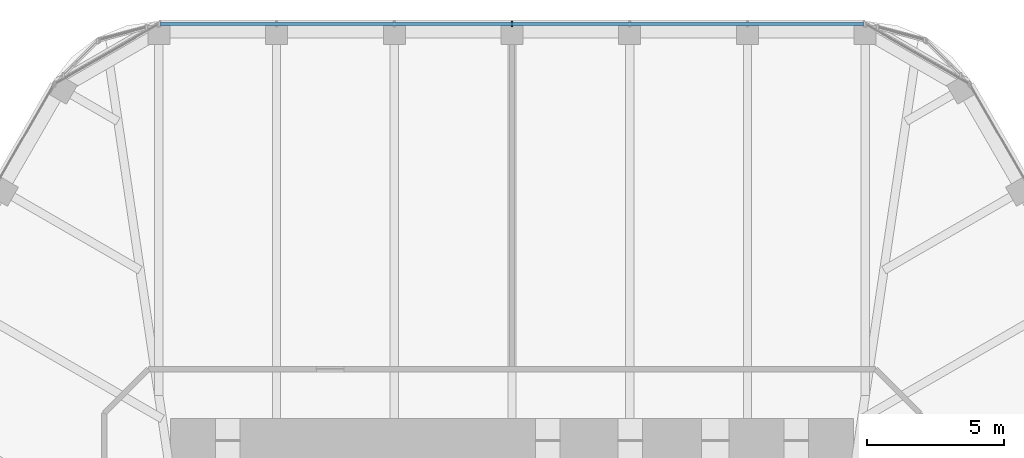
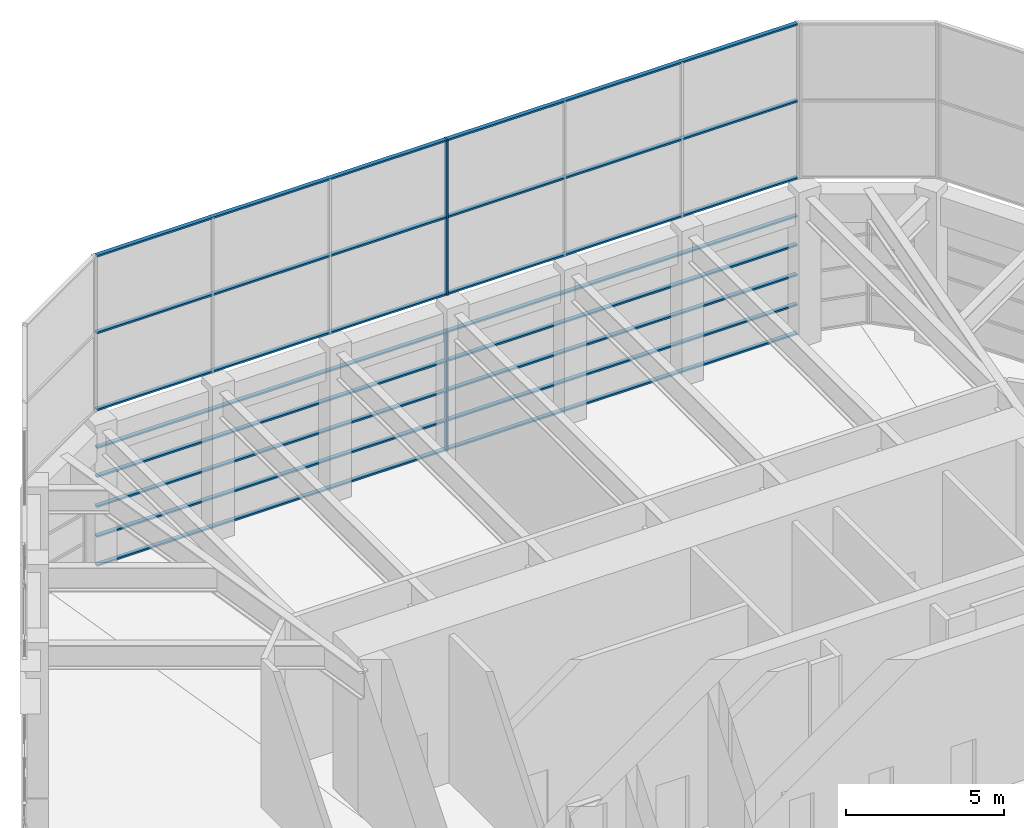
# One storey, part 8 of 17: 10 members, 2 elements without a shape of their own.
"""IFC4 building model written with IfcOpenShell, lengths in metres."""

from ifc_helpers import new_model, si_unit, direction, frame, origin, origin_2d, place, context, subcontext, project, spatial, rectangle, extrude, material, material_profile, profile_set, type_object, element, aggregate, save


model = new_model("IFC4")

# Units and contexts
model_context = context("Model", 3, precision=1e-05, world=origin(), true_north=direction((0.0, 1.0)))
body_context = subcontext(model_context, "Body", "Model", "MODEL_VIEW")
ifc_project = project(units=[si_unit("LENGTHUNIT", "METRE"), si_unit("AREAUNIT", "SQUARE_METRE"), si_unit("VOLUMEUNIT", "CUBIC_METRE"), si_unit("PLANEANGLEUNIT", "RADIAN"), si_unit("MASSUNIT", "GRAM", prefix="KILO")], contexts=[model_context])

# Site, building, storey
site_placement = place(None, origin())
site = spatial("IfcSite", under=ifc_project, at=site_placement, CompositionType="ELEMENT")
building_placement = place(site_placement, origin())
building = spatial("IfcBuilding", under=site, at=building_placement, Name="Tarfa Lantern Tower", CompositionType="ELEMENT")
storey_placement = place(building_placement, frame((0.0, 0.0, 402.300048828125)))
storey = spatial("IfcBuildingStorey", under=building, at=storey_placement, Name="L91", CompositionType="ELEMENT", Elevation=402.300048828125)

# Curtain wall, member
ifc_material_1 = material(Name="Aluminium framed curtain wall", Category="aluminium")
curtain_wall_type_1 = type_object("IfcCurtainWallType", Name="CW8 LANTERN GLAZING 4600", PredefinedType="USERDEFINED", material=ifc_material_1)
curtain_wall_1_placement = place(storey_placement, origin())
curtain_wall_1 = element("IfcCurtainWall", 1, at=curtain_wall_1_placement, inside=storey, type_object=curtain_wall_type_1, Name="CW8 N L91", ObjectType="CURTAIN WALL", PredefinedType="USERDEFINED")
ifc_material_2 = material(Name="Aluminium mullion", Category="aluminium")
ifc_material_profile_1 = material_profile(ifc_material_2, rectangle(XDim=0.06494140625, YDim=0.199951171875, at=origin_2d()), Name="AL MULLION 65x200")
ifc_profile_set_1 = profile_set([ifc_material_profile_1], Name="Aluminium mullion")
member_type_1 = type_object("IfcMemberType", Name="CWM1 MULLION 65x200", PredefinedType="MULLION", material=ifc_profile_set_1)
member_1_placement = place(storey_placement, frame((0.0, 26.64990234375, 0.0), z_axis=(0.0, 0.0, 1.0), x_axis=(1.0, 0.0, 0.0)))
member_1 = element("IfcMember", 2, at=member_1_placement, type_object=member_type_1, Name="CW8 mullion 4", PredefinedType="MULLION", context=body_context, shape_type="SweptSolid", body=[
    extrude(rectangle(XDim=0.06494140625, YDim=0.199951171875, at=origin_2d()), origin(), (0.0, 0.0, 1.0), 4.599853515625),
])

curtain_wall_type_2 = type_object("IfcCurtainWallType", Name="CW9 CROWN SCREEN GLAZING 6000", PredefinedType="USERDEFINED", material=ifc_material_1)
curtain_wall_2_placement = place(storey_placement, origin())
curtain_wall_2 = element("IfcCurtainWall", 3, at=curtain_wall_2_placement, inside=storey, type_object=curtain_wall_type_2, Name="CW9 N L91", ObjectType="CURTAIN WALL", PredefinedType="USERDEFINED")
member_2_placement = place(storey_placement, frame((0.0, 26.64990234375, 6.0), z_axis=(0.0, 0.0, 1.0), x_axis=(1.0, 0.0, 0.0)))
member_2 = element("IfcMember", 4, at=member_2_placement, type_object=member_type_1, Name="CW9 mullion 4", PredefinedType="MULLION", context=body_context, shape_type="SweptSolid", body=[
    extrude(rectangle(XDim=0.06494140625, YDim=0.199951171875, at=origin_2d()), origin(), (0.0, 0.0, 1.0), 6.0),
])

# Member
ifc_material_3 = material(Name="Aluminium transom", Category="aluminium")
ifc_material_profile_2 = material_profile(ifc_material_3, rectangle(XDim=0.14990234375, YDim=0.06494140625, at=origin_2d()), Name="AL TRANSOM 150x65")
ifc_profile_set_2 = profile_set([ifc_material_profile_2], Name="Aluminium transom")
member_type_2 = type_object("IfcMemberType", Name="CWT1 TRANSOM 150x65", PredefinedType="USERDEFINED", material=ifc_profile_set_2)
member_3_placement = place(storey_placement, frame((12.781005859375, 26.64990234375, 0.032470703125), z_axis=(-1.0, 0.0, 0.0), x_axis=(0.0, -1.0, 0.0)))
member_3 = element("IfcMember", 5, at=member_3_placement, type_object=member_type_2, Name="CW8 transom 1.1", ObjectType="TRANSOM", PredefinedType="USERDEFINED", context=body_context, shape_type="SweptSolid", body=[
    extrude(rectangle(XDim=0.14990234375, YDim=0.06494140625, at=origin_2d()), origin(), (0.0, 0.0, 1.0), 25.56201171875),
])

member_4_placement = place(storey_placement, frame((12.781005859375, 26.64990234375, 1.14990234375), z_axis=(-1.0, 0.0, 0.0), x_axis=(0.0, -1.0, 0.0)))
member_4 = element("IfcMember", 6, at=member_4_placement, type_object=member_type_2, Name="CW8 transom 1.2", ObjectType="TRANSOM", PredefinedType="USERDEFINED", context=body_context, shape_type="SweptSolid", body=[
    extrude(rectangle(XDim=0.14990234375, YDim=0.06494140625, at=origin_2d()), origin(), (0.0, 0.0, 1.0), 25.56201171875),
])

member_5_placement = place(storey_placement, frame((12.781005859375, 26.64990234375, 2.300048828125), z_axis=(-1.0, 0.0, 0.0), x_axis=(0.0, -1.0, 0.0)))
member_5 = element("IfcMember", 7, at=member_5_placement, type_object=member_type_2, Name="CW8 transom 1.3", ObjectType="TRANSOM", PredefinedType="USERDEFINED", context=body_context, shape_type="SweptSolid", body=[
    extrude(rectangle(XDim=0.14990234375, YDim=0.06494140625, at=origin_2d()), origin(), (0.0, 0.0, 1.0), 25.56201171875),
])

member_6_placement = place(storey_placement, frame((12.781005859375, 26.64990234375, 3.449951171875), z_axis=(-1.0, 0.0, 0.0), x_axis=(0.0, -1.0, 0.0)))
member_6 = element("IfcMember", 8, at=member_6_placement, type_object=member_type_2, Name="CW8 transom 1.4", ObjectType="TRANSOM", PredefinedType="USERDEFINED", context=body_context, shape_type="SweptSolid", body=[
    extrude(rectangle(XDim=0.14990234375, YDim=0.06494140625, at=origin_2d()), origin(), (0.0, 0.0, 1.0), 25.56201171875),
])

member_7_placement = place(storey_placement, frame((12.781005859375, 26.64990234375, 4.5673828125), z_axis=(-1.0, 0.0, 0.0), x_axis=(0.0, -1.0, 0.0)))
member_7 = element("IfcMember", 9, at=member_7_placement, type_object=member_type_2, Name="CW8 transom 1.5", ObjectType="TRANSOM", PredefinedType="USERDEFINED", context=body_context, shape_type="SweptSolid", body=[
    extrude(rectangle(XDim=0.14990234375, YDim=0.06494140625, at=origin_2d()), origin(), (0.0, 0.0, 1.0), 25.56201171875),
])

aggregate(curtain_wall_1, [member_1, member_3, member_4, member_5, member_6, member_7])

member_8_placement = place(storey_placement, frame((12.781005859375, 26.64990234375, 6.032470703125), z_axis=(-1.0, 0.0, 0.0), x_axis=(0.0, -1.0, 0.0)))
member_8 = element("IfcMember", 10, at=member_8_placement, type_object=member_type_2, Name="CW9 transom 1.1", ObjectType="TRANSOM", PredefinedType="USERDEFINED", context=body_context, shape_type="SweptSolid", body=[
    extrude(rectangle(XDim=0.14990234375, YDim=0.06494140625, at=origin_2d()), origin(), (0.0, 0.0, 1.0), 25.56201171875),
])

member_9_placement = place(storey_placement, frame((12.781005859375, 26.64990234375, 9.0), z_axis=(-1.0, 0.0, 0.0), x_axis=(0.0, -1.0, 0.0)))
member_9 = element("IfcMember", 11, at=member_9_placement, type_object=member_type_2, Name="CW9 transom 1.2", ObjectType="TRANSOM", PredefinedType="USERDEFINED", context=body_context, shape_type="SweptSolid", body=[
    extrude(rectangle(XDim=0.14990234375, YDim=0.06494140625, at=origin_2d()), origin(), (0.0, 0.0, 1.0), 25.56201171875),
])

member_10_placement = place(storey_placement, frame((12.781005859375, 26.64990234375, 11.967529296875), z_axis=(-1.0, 0.0, 0.0), x_axis=(0.0, -1.0, 0.0)))
member_10 = element("IfcMember", 12, at=member_10_placement, type_object=member_type_2, Name="CW9 transom 1.3", ObjectType="TRANSOM", PredefinedType="USERDEFINED", context=body_context, shape_type="SweptSolid", body=[
    extrude(rectangle(XDim=0.14990234375, YDim=0.06494140625, at=origin_2d()), origin(), (0.0, 0.0, 1.0), 25.56201171875),
])

aggregate(curtain_wall_2, [member_2, member_8, member_9, member_10])

save(model, "model.ifc")
